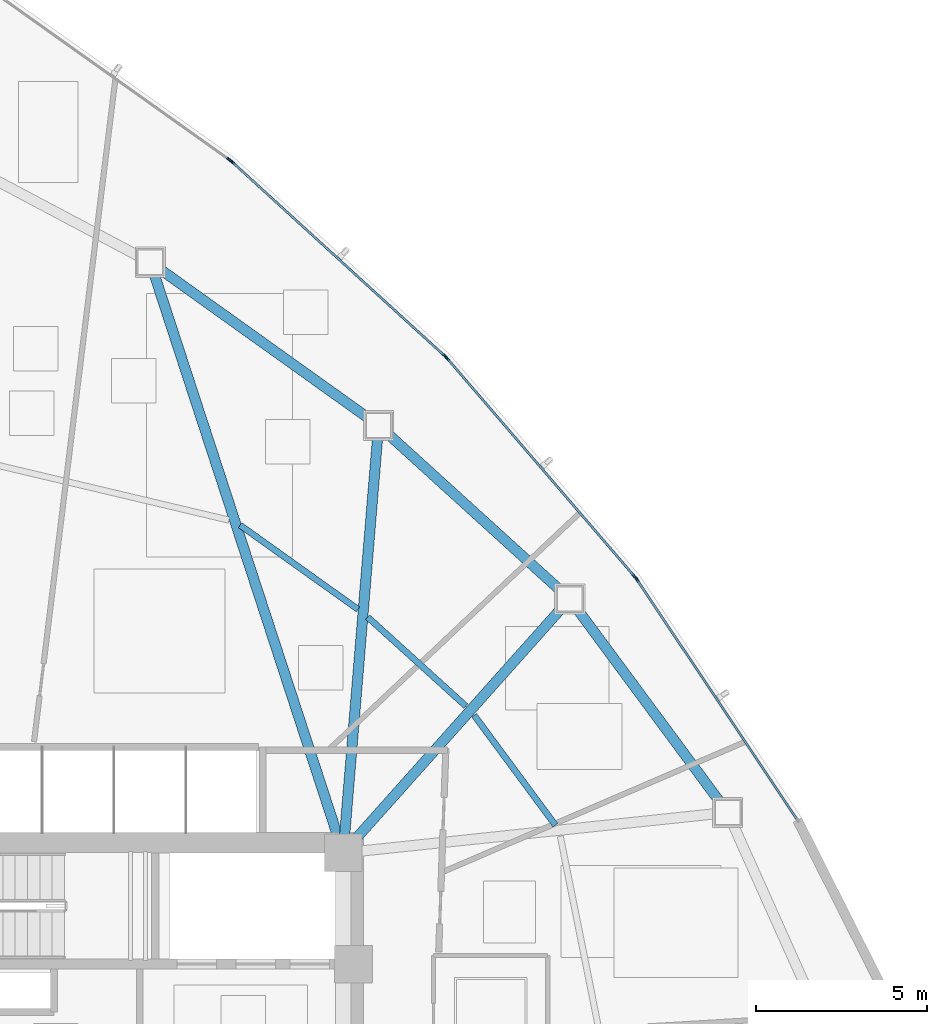
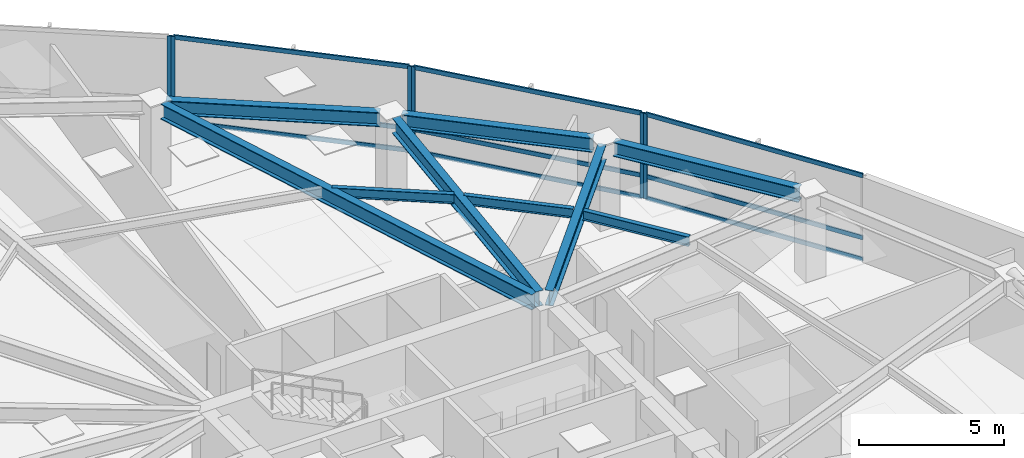
# One storey, part 10 of 18: 15 members, 9 beams, 4 elements without a shape of their own.
"""IFC4 building model written with IfcOpenShell, lengths in metres."""

import ifcopenshell
import ifcopenshell.guid

model = None  # the IFC model being written
_history = None  # IfcOwnerHistory: only IFC2X3 demands one
_inside = {}  # id of a spatial element -> (the spatial element, [elements in it])
_under = {}  # id of a project, library or spatial element -> (it, [spatial elements below it])
_declared = {}  # id of a project -> (the project, [libraries it declares])
_typed = {}  # id of a type object -> (the type object, [elements of that type])
_made_of = {}  # id of a material, layer set ... -> (it, [elements and type objects made of it])


def new_model(schema):
    """Start an empty IFC model of exactly this schema.

    Asked for "IFC4X3", IfcOpenShell would pick the latest addendum, in which some entities
    have other attributes; the version numbers below select the first issue.
    IFC2X3 requires an IfcOwnerHistory on every rooted entity: one is made here for all.
    """
    global model, _history
    if schema == "IFC4X3":
        model = ifcopenshell.file(schema_version=(4, 3, 0, 0))
    else:
        model = ifcopenshell.file(schema=schema)
    _inside.clear()
    _under.clear()
    _declared.clear()
    _typed.clear()
    _made_of.clear()
    _history = None
    if model.schema == "IFC2X3":
        org = make("IfcOrganization", Name="unknown")
        user = make(
            "IfcPersonAndOrganization",
            ThePerson=make("IfcPerson", FamilyName="unknown"),
            TheOrganization=org,
        )
        app = make(
            "IfcApplication",
            ApplicationDeveloper=org,
            Version="unknown",
            ApplicationFullName="unknown",
            ApplicationIdentifier="unknown",
        )
        _history = make(
            "IfcOwnerHistory",
            OwningUser=user,
            OwningApplication=app,
            ChangeAction="ADDED",
            CreationDate=0,
        )
    return model


def make(cls, **values):
    """One entity of the class cls with the attributes given. An attribute that is None is left unset."""
    return model.create_entity(
        cls, **{name: value for name, value in values.items() if value is not None}
    )


def rooted(cls, **values):
    """An entity with a GlobalId (a new one), such as an element, a storey or a relation."""
    return make(cls, GlobalId=ifcopenshell.guid.new(), OwnerHistory=_history, **values)


def si_unit(unit_type, name, prefix=None):
    """IfcSIUnit, for example si_unit("LENGTHUNIT", "METRE", prefix="MILLI")."""
    return make("IfcSIUnit", UnitType=unit_type, Prefix=prefix, Name=name)


def assignment(units):
    """IfcUnitAssignment: the units of a project."""
    return None if units is None else make("IfcUnitAssignment", Units=units)


def point(xyz):
    """IfcCartesianPoint."""
    return None if xyz is None else make("IfcCartesianPoint", Coordinates=xyz)


def direction(xyz):
    """IfcDirection."""
    return None if xyz is None else make("IfcDirection", DirectionRatios=xyz)


def frame(location, z_axis=None, x_axis=None):
    """IfcAxis2Placement3D, a coordinate frame: its origin and axes. An axis left out is left unset."""
    return make(
        "IfcAxis2Placement3D",
        Location=point(location),
        Axis=direction(z_axis),
        RefDirection=direction(x_axis),
    )


def frame_2d(location, x_axis=None):
    """IfcAxis2Placement2D, a coordinate frame in the plane: its origin and x axis."""
    return make(
        "IfcAxis2Placement2D", Location=point(location), RefDirection=direction(x_axis)
    )


def origin():
    """The frame at (0, 0, 0) with its axes left unset."""
    return frame((0.0, 0.0, 0.0))


def origin_2d():
    """The frame at (0, 0) in the plane with its x axis left unset."""
    return frame_2d((0.0, 0.0))


def place(relative_to, where):
    """IfcLocalPlacement: puts the frame where relative to a parent placement (None: the world)."""
    return make(
        "IfcLocalPlacement", PlacementRelTo=relative_to, RelativePlacement=where
    )


def context(
    kind, dimensions, precision=None, world=None, true_north=None, identifier=None
):
    """IfcGeometricRepresentationContext, for example the 3D "Model" context."""
    return make(
        "IfcGeometricRepresentationContext",
        ContextIdentifier=identifier,
        ContextType=kind,
        CoordinateSpaceDimension=dimensions,
        Precision=precision,
        WorldCoordinateSystem=world,
        TrueNorth=true_north,
    )


def subcontext(parent, identifier, kind, view, scale=None):
    """IfcGeometricRepresentationSubContext, for example "Body" below "Model"."""
    return make(
        "IfcGeometricRepresentationSubContext",
        ContextIdentifier=identifier,
        ContextType=kind,
        ParentContext=parent,
        TargetScale=scale,
        TargetView=view,
    )


def project(units=None, contexts=None):
    """IfcProject with its units and contexts."""
    return rooted(
        "IfcProject",
        Name="project",
        RepresentationContexts=contexts,
        UnitsInContext=assignment(units),
    )


def spatial(cls, under=None, at=None, **own):
    """A site, building, storey or space (cls), placed at a placement, below another one or the project."""
    s = rooted(cls, ObjectPlacement=at, **own)
    if under is not None:
        _under.setdefault(under.id(), (under, []))[1].append(s)
    return s


def profile(cls, at=None, kind="AREA", **sizes):
    """A parametric profile (cls). Its sizes go by their IFC names, for example OverallWidth=200.0."""
    return make(cls, ProfileType=kind, Position=at, **sizes)


def hollow_rectangle(**sizes):
    """IfcRectangleHollowProfileDef."""
    return profile("IfcRectangleHollowProfileDef", **sizes)


def i_section(**sizes):
    """IfcIShapeProfileDef."""
    return profile("IfcIShapeProfileDef", **sizes)


def extrude(swept, where, along, depth):
    """IfcExtrudedAreaSolid: the profile swept, set in the frame where, extruded along a direction by depth."""
    return make(
        "IfcExtrudedAreaSolid",
        SweptArea=swept,
        Position=where,
        ExtrudedDirection=direction(along),
        Depth=depth,
    )


def shape(context_of_items, identifier, shape_type, items):
    """IfcShapeRepresentation: the items that make up one representation, for example the "Body"."""
    return make(
        "IfcShapeRepresentation",
        ContextOfItems=context_of_items,
        RepresentationIdentifier=identifier,
        RepresentationType=shape_type,
        Items=items,
    )


def source(mapping_origin, context_of_items, identifier, shape_type, items):
    """IfcRepresentationMap: a shape defined once, which mapped items show again and again."""
    return make(
        "IfcRepresentationMap",
        MappingOrigin=mapping_origin,
        MappedRepresentation=shape(context_of_items, identifier, shape_type, items),
    )


def transform(
    local_origin,
    x_axis=None,
    y_axis=None,
    z_axis=None,
    scale=None,
    scale2=None,
    scale3=None,
    uniform=True,
):
    """IfcCartesianTransformationOperator3D, or its non-uniform kind. x_axis, y_axis, z_axis: its Axis1, 2, 3."""
    if uniform:
        return make(
            "IfcCartesianTransformationOperator3D",
            Axis1=direction(x_axis),
            Axis2=direction(y_axis),
            LocalOrigin=point(local_origin),
            Scale=scale,
            Axis3=direction(z_axis),
        )
    return make(
        "IfcCartesianTransformationOperator3DnonUniform",
        Axis1=direction(x_axis),
        Axis2=direction(y_axis),
        LocalOrigin=point(local_origin),
        Scale=scale,
        Axis3=direction(z_axis),
        Scale2=scale2,
        Scale3=scale3,
    )


def mapped(mapping_source, mapping_target):
    """IfcMappedItem: shows the shape of a source again, moved by a transform."""
    return make(
        "IfcMappedItem", MappingSource=mapping_source, MappingTarget=mapping_target
    )


def material(Name=None, Category=None):
    """IfcMaterial."""
    return make("IfcMaterial", Name=Name, Category=Category)


def layer(
    of_material, thickness, ventilated=None, Name=None, Category=None, Priority=None
):
    """IfcMaterialLayer: one layer of a wall or slab, of a material (None: an air gap)."""
    return make(
        "IfcMaterialLayer",
        Material=of_material,
        LayerThickness=thickness,
        IsVentilated=ventilated,
        Name=Name,
        Category=Category,
        Priority=Priority,
    )


def layer_set(layers, Name=None):
    """IfcMaterialLayerSet."""
    return make("IfcMaterialLayerSet", MaterialLayers=layers, LayerSetName=Name)


def material_profile(
    of_material, cross_section, Name=None, Category=None, Priority=None
):
    """IfcMaterialProfile: a cross section and its material."""
    return make(
        "IfcMaterialProfile",
        Name=Name,
        Material=of_material,
        Profile=cross_section,
        Priority=Priority,
        Category=Category,
    )


def profile_set(profiles, Name=None, composite=None):
    """IfcMaterialProfileSet."""
    return make(
        "IfcMaterialProfileSet",
        Name=Name,
        MaterialProfiles=profiles,
        CompositeProfile=composite,
    )


def made_of(thing, what):
    """Note that an element or type object is made of a material, layer set ...; save() writes the relation."""
    if what is not None:
        _made_of.setdefault(what.id(), (what, []))[1].append(thing)
    return thing


def type_object(cls, material=None, **own):
    """A type object (cls), such as IfcWallType, which elements share."""
    return made_of(rooted(cls, **own), material)


def type_shapes(of_type, sources):
    """Give a type object the sources (RepresentationMaps) that its elements show as mapped items."""
    of_type.RepresentationMaps = sources


def element(
    cls,
    number,
    at=None,
    inside=None,
    cuts=None,
    type_object=None,
    material=None,
    context=None,
    identifier="Body",
    shape_type=None,
    held_by="IfcProductDefinitionShape",
    body=None,
    shapes=None,
    **own,
):
    """One element of the class cls, such as IfcWall. Its Tag is "e" and its number.

    at: its placement. inside: the storey or other place that contains it. cuts: it is an
    opening in that element (IfcRelVoidsElement). A single representation is given by context,
    identifier, shape_type and body (its items); several are given by shapes. held_by: the class
    of the entity that holds the representations. save() writes the other relations.
    """
    e = rooted(cls, Tag="e%d" % number, ObjectPlacement=at, **own)
    if body is not None:
        shapes = [shape(context, identifier, shape_type, body)]
    if shapes is not None:
        e.Representation = make(held_by, Representations=shapes)
    if inside is not None:
        _inside.setdefault(inside.id(), (inside, []))[1].append(e)
    if cuts is not None:
        rooted(
            "IfcRelVoidsElement", RelatingBuildingElement=cuts, RelatedOpeningElement=e
        )
    if type_object is not None:
        _typed.setdefault(type_object.id(), (type_object, []))[1].append(e)
    return made_of(e, material)


def aggregate(whole, parts):
    """IfcRelAggregates: a whole, such as a stair, and the parts it consists of."""
    return rooted("IfcRelAggregates", RelatingObject=whole, RelatedObjects=parts)


def save(model, path):
    """Write the relations noted so far, then the file.

    IfcRelAggregates (storeys below a building ...), IfcRelContainedInSpatialStructure (elements
    in a storey), IfcRelDefinesByType, IfcRelAssociatesMaterial and IfcRelDeclares: one each for
    every whole, place, type object, material and project.
    """
    for whole, parts in _under.values():
        aggregate(whole, parts)
    for where, things in _inside.values():
        rooted(
            "IfcRelContainedInSpatialStructure",
            RelatedElements=things,
            RelatingStructure=where,
        )
    for kind, things in _typed.values():
        rooted("IfcRelDefinesByType", RelatedObjects=things, RelatingType=kind)
    for what, things in _made_of.values():
        rooted("IfcRelAssociatesMaterial", RelatedObjects=things, RelatingMaterial=what)
    for by, libraries in _declared.values():
        rooted("IfcRelDeclares", RelatingContext=by, RelatedDefinitions=libraries)
    model.write(path)


model = new_model("IFC4")

# Units and contexts
model_context = context("Model", 3, precision=1e-05, world=origin(), true_north=direction((0.0, 1.0)))
body_context = subcontext(model_context, "Body", "Model", "MODEL_VIEW")
ifc_project = project(units=[si_unit("LENGTHUNIT", "METRE"), si_unit("AREAUNIT", "SQUARE_METRE"), si_unit("VOLUMEUNIT", "CUBIC_METRE"), si_unit("PLANEANGLEUNIT", "RADIAN"), si_unit("MASSUNIT", "GRAM", prefix="KILO")], contexts=[model_context])

# Site, building, storey
site_placement = place(None, origin())
site = spatial("IfcSite", under=ifc_project, at=site_placement, CompositionType="ELEMENT")
building_placement = place(site_placement, origin())
building = spatial("IfcBuilding", under=site, at=building_placement, Name="Tavelor Broadcast Tower", CompositionType="ELEMENT")
storey_placement = place(building_placement, frame((0.0, 0.0, 54.89990234375)))
storey = spatial("IfcBuildingStorey", under=building, at=storey_placement, Name="L12", CompositionType="ELEMENT", Elevation=54.89990234375)

# Beams
ifc_material_1 = material(Name="Steel S355", Category="steel")
ifc_material_profile_1 = material_profile(ifc_material_1, i_section(OverallWidth=0.179931640625, OverallDepth=0.39990234375, WebThickness=0.008544921875, FlangeThickness=0.013427734375, at=origin_2d()), Name="IPE 400")
ifc_profile_set_1 = profile_set([ifc_material_profile_1], Name="Steel S355")
beam_type_1 = type_object("IfcBeamType", Name="Composite Floor Joist T1 IPE 400", PredefinedType="JOIST", material=ifc_profile_set_1)
beam_1_placement = place(storey_placement, frame((62.804443359375, 52.009521484375, 3.400146484375), z_axis=(-0.594288025828, 0.804252287754, 0.0), x_axis=(-0.804252287754, -0.594288025828, 0.0)))
element("IfcBeam", 1, at=beam_1_placement, inside=storey, type_object=beam_type_1, Name="L12 Secondary Composite Floor Joist 15", PredefinedType="JOIST", context=body_context, shape_type="SweptSolid", body=[
    extrude(i_section(OverallWidth=0.179931640625, OverallDepth=0.39990234375, WebThickness=0.008544921875, FlangeThickness=0.013427734375, at=origin_2d()), origin(), (0.0, 0.0, 1.0), 3.99755859375),
])
beam_2_placement = place(storey_placement, frame((60.18701171875, 55.49169921875, 3.400146484375), z_axis=(-0.740990869176, 0.67151510169, 0.0), x_axis=(-0.67151510169, -0.740990869176, 0.0)))
element("IfcBeam", 2, at=beam_2_placement, inside=storey, type_object=beam_type_1, Name="L12 Secondary Composite Floor Joist 16", PredefinedType="JOIST", context=body_context, shape_type="SweptSolid", body=[
    extrude(i_section(OverallWidth=0.179931640625, OverallDepth=0.39990234375, WebThickness=0.008544921875, FlangeThickness=0.013427734375, at=origin_2d()), origin(), (0.0, 0.0, 1.0), 3.8759765625),
])
beam_3_placement = place(storey_placement, frame((57.03369140625, 58.321044921875, 3.400146484375), z_axis=(-0.814052615916, 0.580791131579, 0.0), x_axis=(-0.580791131579, -0.814052615916, 0.0)))
element("IfcBeam", 3, at=beam_3_placement, inside=storey, type_object=beam_type_1, Name="L12 Secondary Composite Floor Joist 17", PredefinedType="JOIST", context=body_context, shape_type="SweptSolid", body=[
    extrude(i_section(OverallWidth=0.179931640625, OverallDepth=0.39990234375, WebThickness=0.008544921875, FlangeThickness=0.013427734375, at=origin_2d()), origin(), (0.0, 0.0, 1.0), 4.23681640625),
])
ifc_material_profile_2 = material_profile(ifc_material_1, i_section(OverallWidth=0.300048828125, OverallDepth=0.60009765625, WebThickness=0.015380859375, FlangeThickness=0.030029296875, at=origin_2d()), Name="HEB 600")
ifc_profile_set_2 = profile_set([ifc_material_profile_2], Name="Steel S355")
beam_type_2 = type_object("IfcBeamType", Name="Perimeter Spandrel Beam T1 HEB 600", PredefinedType="SPANDREL", material=ifc_profile_set_2)
beam_4_placement = place(storey_placement, frame((67.6123046875, 52.69140625, 3.300048828125), z_axis=(-0.594687385164, 0.803957034876, 0.0), x_axis=(-0.803957034876, -0.594687385164, 0.0)))
element("IfcBeam", 4, at=beam_4_placement, inside=storey, type_object=beam_type_2, Name="L12 Framed-Tube Ring Spandrel 15", PredefinedType="SPANDREL", context=body_context, shape_type="SweptSolid", body=[
    extrude(i_section(OverallWidth=0.300048828125, OverallDepth=0.60009765625, WebThickness=0.015380859375, FlangeThickness=0.030029296875, at=origin_2d()), origin(), (0.0, 0.0, 1.0), 6.9951171875),
])
beam_5_placement = place(storey_placement, frame((62.939697265625, 58.882080078125, 3.300048828125), z_axis=(-0.740415616175, 0.672149325168, 0.0), x_axis=(-0.672149325168, -0.740415616175, 0.0)))
element("IfcBeam", 5, at=beam_5_placement, inside=storey, type_object=beam_type_2, Name="L12 Framed-Tube Ring Spandrel 16", PredefinedType="SPANDREL", context=body_context, shape_type="SweptSolid", body=[
    extrude(i_section(OverallWidth=0.300048828125, OverallDepth=0.60009765625, WebThickness=0.015380859375, FlangeThickness=0.030029296875, at=origin_2d()), origin(), (0.0, 0.0, 1.0), 6.78076171875),
])
beam_6_placement = place(storey_placement, frame((57.322509765625, 63.921142578125, 3.300048828125), z_axis=(-0.813480467782, 0.581592235624, 0.0), x_axis=(-0.581592235624, -0.813480467782, 0.0)))
element("IfcBeam", 6, at=beam_6_placement, inside=storey, type_object=beam_type_2, Name="L12 Framed-Tube Ring Spandrel 17", PredefinedType="SPANDREL", context=body_context, shape_type="SweptSolid", body=[
    extrude(i_section(OverallWidth=0.300048828125, OverallDepth=0.60009765625, WebThickness=0.015380859375, FlangeThickness=0.030029296875, at=origin_2d()), origin(), (0.0, 0.0, 1.0), 7.43505859375),
])
ifc_material_profile_3 = material_profile(ifc_material_1, i_section(OverallWidth=0.300048828125, OverallDepth=0.64990234375, WebThickness=0.01611328125, FlangeThickness=0.031005859375, at=origin_2d()), Name="HEB 650")
ifc_profile_set_3 = profile_set([ifc_material_profile_3], Name="Steel S355")
beam_type_3 = type_object("IfcBeamType", Name="Radial Floor Girder T1 HEB 650", PredefinedType="BEAM", material=ifc_profile_set_3)
beam_7_placement = place(storey_placement, frame((56.951416015625, 51.593994140625, 3.275146484375), z_axis=(0.665781144197, 0.746147082036, 0.0), x_axis=(-0.746147082036, 0.665781144197, 0.0)))
element("IfcBeam", 7, at=beam_7_placement, inside=storey, type_object=beam_type_3, Name="L12 Radial Primary Floor Girder 16", PredefinedType="BEAM", context=body_context, shape_type="SweptSolid", body=[
    extrude(i_section(OverallWidth=0.300048828125, OverallDepth=0.64990234375, WebThickness=0.01611328125, FlangeThickness=0.031005859375, at=origin_2d()), origin(), (0.0, 0.0, 1.0), 9.03759765625),
])
beam_8_placement = place(storey_placement, frame((56.6435546875, 51.726318359375, 3.275146484375), z_axis=(0.08251031281, 0.996590210809, 0.0), x_axis=(-0.996590210809, 0.08251031281, 0.0)))
element("IfcBeam", 8, at=beam_8_placement, inside=storey, type_object=beam_type_3, Name="L12 Radial Primary Floor Girder 17", PredefinedType="BEAM", context=body_context, shape_type="SweptSolid", body=[
    extrude(i_section(OverallWidth=0.300048828125, OverallDepth=0.64990234375, WebThickness=0.01611328125, FlangeThickness=0.031005859375, at=origin_2d()), origin(), (0.0, 0.0, 1.0), 11.62841796875),
])
beam_9_placement = place(storey_placement, frame((56.43603515625, 51.701904296875, 3.275146484375), z_axis=(-0.310367857535, 0.950616533103, 0.0), x_axis=(-0.950616533103, -0.310367857535, 0.0)))
element("IfcBeam", 9, at=beam_9_placement, inside=storey, type_object=beam_type_3, Name="L12 Radial Primary Floor Girder 18", PredefinedType="BEAM", context=body_context, shape_type="SweptSolid", body=[
    extrude(i_section(OverallWidth=0.300048828125, OverallDepth=0.64990234375, WebThickness=0.01611328125, FlangeThickness=0.031005859375, at=origin_2d()), origin(), (0.0, 0.0, 1.0), 17.253662109375),
])

# Curtain wall, member
ifc_material_2 = material(Name="Architectural Anodized Aluminium", Category="aluminium")
ifc_layer = layer(ifc_material_2, 0.179931640625)
ifc_layer_set = layer_set([ifc_layer], Name="Architectural Anodized Aluminium")
curtain_wall_type = type_object("IfcCurtainWallType", Name="Tower Low-Zone Unitised Curtain Wall CW02", PredefinedType="NOTDEFINED", material=ifc_layer_set)
curtain_wall_1_placement = place(storey_placement, origin())
curtain_wall_1 = element("IfcCurtainWall", 10, at=curtain_wall_1_placement, inside=storey, type_object=curtain_wall_type, Name="L12 Curtain Wall CW02 Run 105", PredefinedType="NOTDEFINED")
ifc_material_profile_4 = material_profile(ifc_material_2, hollow_rectangle(XDim=0.06494140625, YDim=0.179931640625, WallThickness=0.02197265625, at=origin_2d()), Name="RHS 65x180x22")
ifc_profile_set_4 = profile_set([ifc_material_profile_4], Name="Architectural Anodized Aluminium")
member_type_1 = type_object("IfcMemberType", Name="CW02 Extruded Aluminium Mullion 65x180", PredefinedType="MULLION", material=ifc_profile_set_4)
shared_shape_1 = source(origin(), body_context, "Body", "SweptSolid", [
    extrude(hollow_rectangle(XDim=0.06494140625, YDim=0.179931640625, WallThickness=0.02197265625, at=origin_2d()), origin(), (0.0, 0.0, 1.0), 3.60009765625),
])
type_shapes(member_type_1, [shared_shape_1])
member_1_placement = place(storey_placement, frame((65.18310546875, 59.197509765625, 0.0), z_axis=(0.0, 0.0, 1.0), x_axis=(-0.831717169466, -0.555199558732, 0.0)))
member_1 = element("IfcMember", 11, at=member_1_placement, type_object=member_type_1, Name="CW02 mullion 2", PredefinedType="MULLION", context=body_context, shape_type="MappedRepresentation", body=[
    mapped(shared_shape_1, transform((0.0, 0.0, 0.0), scale=1.0)),
])

# Curtain wall, members
curtain_wall_2_placement = place(storey_placement, origin())
curtain_wall_2 = element("IfcCurtainWall", 12, at=curtain_wall_2_placement, inside=storey, type_object=curtain_wall_type, Name="L12 Curtain Wall CW02 Run 106", PredefinedType="NOTDEFINED")
member_2_placement = place(storey_placement, frame((65.125732421875, 59.273193359375, 0.0), z_axis=(0.0, 0.0, 1.0), x_axis=(-0.758408379606, -0.651779663493, 0.0)))
member_2 = element("IfcMember", 13, at=member_2_placement, type_object=member_type_1, Name="CW02 mullion 1", PredefinedType="MULLION", context=body_context, shape_type="MappedRepresentation", body=[
    mapped(shared_shape_1, transform((0.0, 0.0, 0.0), scale=1.0)),
])
member_3_placement = place(storey_placement, frame((59.63671875, 65.66015625, 0.0), z_axis=(0.0, 0.0, 1.0), x_axis=(-0.758408379606, -0.651779663493, 0.0)))
member_3 = element("IfcMember", 14, at=member_3_placement, type_object=member_type_1, Name="CW02 mullion 2", PredefinedType="MULLION", context=body_context, shape_type="MappedRepresentation", body=[
    mapped(shared_shape_1, transform((0.0, 0.0, 0.0), scale=1.0)),
])

curtain_wall_3_placement = place(storey_placement, origin())
curtain_wall_3 = element("IfcCurtainWall", 15, at=curtain_wall_3_placement, inside=storey, type_object=curtain_wall_type, Name="L12 Curtain Wall CW02 Run 107", PredefinedType="NOTDEFINED")
member_4_placement = place(storey_placement, frame((59.57080078125, 65.72802734375, 0.0), z_axis=(0.0, 0.0, 1.0), x_axis=(-0.673965033885, -0.738763245635, 0.0)))
member_4 = element("IfcMember", 16, at=member_4_placement, type_object=member_type_1, Name="CW02 mullion 1", PredefinedType="MULLION", context=body_context, shape_type="MappedRepresentation", body=[
    mapped(shared_shape_1, transform((0.0, 0.0, 0.0), scale=1.0)),
])
member_5_placement = place(storey_placement, frame((53.349365234375, 71.40380859375, 0.0), z_axis=(0.0, 0.0, 1.0), x_axis=(-0.673965033885, -0.738763245635, 0.0)))
member_5 = element("IfcMember", 17, at=member_5_placement, type_object=member_type_1, Name="CW02 mullion 2", PredefinedType="MULLION", context=body_context, shape_type="MappedRepresentation", body=[
    mapped(shared_shape_1, transform((0.0, 0.0, 0.0), scale=1.0)),
])

# Curtain wall, member
curtain_wall_4_placement = place(storey_placement, origin())
curtain_wall_4 = element("IfcCurtainWall", 18, at=curtain_wall_4_placement, inside=storey, type_object=curtain_wall_type, Name="L12 Curtain Wall CW02 Run 108", PredefinedType="NOTDEFINED")
member_6_placement = place(storey_placement, frame((53.275634765625, 71.46337890625, 0.0), z_axis=(0.0, 0.0, 1.0), x_axis=(-0.579622725529, -0.814884958783, 0.0)))
member_6 = element("IfcMember", 19, at=member_6_placement, type_object=member_type_1, Name="CW02 mullion 1", PredefinedType="MULLION", context=body_context, shape_type="MappedRepresentation", body=[
    mapped(shared_shape_1, transform((0.0, 0.0, 0.0), scale=1.0)),
])
aggregate(curtain_wall_4, [member_6])

# Member
ifc_material_profile_5 = material_profile(ifc_material_2, hollow_rectangle(XDim=0.06494140625, YDim=0.179931640625, WallThickness=0.02197265625, at=origin_2d()), Name="RHS 65x180x22")
ifc_profile_set_5 = profile_set([ifc_material_profile_5], Name="Architectural Anodized Aluminium")
member_type_2 = type_object("IfcMemberType", Name="CW02 Extruded Aluminium Transom 65x180", PredefinedType="USERDEFINED", material=ifc_profile_set_5)
shared_shape_2 = source(origin(), body_context, "Body", "SweptSolid", [
    extrude(hollow_rectangle(XDim=0.06494140625, YDim=0.179931640625, WallThickness=0.02197265625, at=origin_2d()), origin(), (0.0, 0.0, 1.0), 8.3564453125),
])
member_7_placement = place(storey_placement, frame((65.1044921875, 59.2978515625, 0.03271484375), z_axis=(-0.651774883134, 0.758412487843, 0.0), x_axis=(-0.758412487843, -0.651774883134, 0.0)))
member_7 = element("IfcMember", 20, at=member_7_placement, type_object=member_type_2, Name="CW02 transom 1.1", ObjectType="TRANSOM", PredefinedType="USERDEFINED", context=body_context, shape_type="MappedRepresentation", body=[
    mapped(shared_shape_2, transform((0.0, 0.0, 0.0), scale=1.0)),
])

member_8_placement = place(storey_placement, frame((65.1044921875, 59.2978515625, 0.9501953125), z_axis=(-0.651774883134, 0.758412487843, 0.0), x_axis=(-0.758412487843, -0.651774883134, 0.0)))
member_8 = element("IfcMember", 21, at=member_8_placement, type_object=member_type_2, Name="CW02 transom 1.2", ObjectType="TRANSOM", PredefinedType="USERDEFINED", context=body_context, shape_type="MappedRepresentation", body=[
    mapped(shared_shape_2, transform((0.0, 0.0, 0.0), scale=1.0)),
])

member_9_placement = place(storey_placement, frame((65.1044921875, 59.2978515625, 3.567626953125), z_axis=(-0.651774883134, 0.758412487843, 0.0), x_axis=(-0.758412487843, -0.651774883134, 0.0)))
member_9 = element("IfcMember", 22, at=member_9_placement, type_object=member_type_2, Name="CW02 transom 1.3", ObjectType="TRANSOM", PredefinedType="USERDEFINED", context=body_context, shape_type="MappedRepresentation", body=[
    mapped(shared_shape_2, transform((0.0, 0.0, 0.0), scale=1.0)),
])

aggregate(curtain_wall_2, [member_2, member_3, member_7, member_8, member_9])

shared_shape_3 = source(origin(), body_context, "Body", "SweptSolid", [
    extrude(hollow_rectangle(XDim=0.06494140625, YDim=0.179931640625, WallThickness=0.02197265625, at=origin_2d()), origin(), (0.0, 0.0, 1.0), 8.37158203125),
])
member_10_placement = place(storey_placement, frame((69.848876953125, 52.207763671875, 0.03271484375), z_axis=(-0.555177930931, 0.831731606353, 0.0), x_axis=(-0.831731606353, -0.555177930931, 0.0)))
member_10 = element("IfcMember", 23, at=member_10_placement, type_object=member_type_2, Name="CW02 transom 1.1", ObjectType="TRANSOM", PredefinedType="USERDEFINED", context=body_context, shape_type="MappedRepresentation", body=[
    mapped(shared_shape_3, transform((0.0, 0.0, 0.0), scale=1.0)),
])

member_11_placement = place(storey_placement, frame((69.848876953125, 52.207763671875, 0.9501953125), z_axis=(-0.555177930931, 0.831731606353, 0.0), x_axis=(-0.831731606353, -0.555177930931, 0.0)))
member_11 = element("IfcMember", 24, at=member_11_placement, type_object=member_type_2, Name="CW02 transom 1.2", ObjectType="TRANSOM", PredefinedType="USERDEFINED", context=body_context, shape_type="MappedRepresentation", body=[
    mapped(shared_shape_3, transform((0.0, 0.0, 0.0), scale=1.0)),
])

member_12_placement = place(storey_placement, frame((69.848876953125, 52.207763671875, 3.567626953125), z_axis=(-0.555177930931, 0.831731606353, 0.0), x_axis=(-0.831731606353, -0.555177930931, 0.0)))
member_12 = element("IfcMember", 25, at=member_12_placement, type_object=member_type_2, Name="CW02 transom 1.3", ObjectType="TRANSOM", PredefinedType="USERDEFINED", context=body_context, shape_type="MappedRepresentation", body=[
    mapped(shared_shape_3, transform((0.0, 0.0, 0.0), scale=1.0)),
])

aggregate(curtain_wall_1, [member_1, member_10, member_11, member_12])

shared_shape_4 = source(origin(), body_context, "Body", "SweptSolid", [
    extrude(hollow_rectangle(XDim=0.06494140625, YDim=0.179931640625, WallThickness=0.02197265625, at=origin_2d()), origin(), (0.0, 0.0, 1.0), 8.356201171875),
])
type_shapes(member_type_2, [shared_shape_2, shared_shape_3, shared_shape_4])
member_13_placement = place(storey_placement, frame((59.546875, 65.75, 0.03271484375), z_axis=(-0.738765003953, 0.673963106509, 0.0), x_axis=(-0.673963106509, -0.738765003953, 0.0)))
member_13 = element("IfcMember", 26, at=member_13_placement, type_object=member_type_2, Name="CW02 transom 1.1", ObjectType="TRANSOM", PredefinedType="USERDEFINED", context=body_context, shape_type="MappedRepresentation", body=[
    mapped(shared_shape_4, transform((0.0, 0.0, 0.0), scale=1.0)),
])

member_14_placement = place(storey_placement, frame((59.546875, 65.75, 0.9501953125), z_axis=(-0.738765003953, 0.673963106509, 0.0), x_axis=(-0.673963106509, -0.738765003953, 0.0)))
member_14 = element("IfcMember", 27, at=member_14_placement, type_object=member_type_2, Name="CW02 transom 1.2", ObjectType="TRANSOM", PredefinedType="USERDEFINED", context=body_context, shape_type="MappedRepresentation", body=[
    mapped(shared_shape_4, transform((0.0, 0.0, 0.0), scale=1.0)),
])

member_15_placement = place(storey_placement, frame((59.546875, 65.75, 3.567626953125), z_axis=(-0.738765003953, 0.673963106509, 0.0), x_axis=(-0.673963106509, -0.738765003953, 0.0)))
member_15 = element("IfcMember", 28, at=member_15_placement, type_object=member_type_2, Name="CW02 transom 1.3", ObjectType="TRANSOM", PredefinedType="USERDEFINED", context=body_context, shape_type="MappedRepresentation", body=[
    mapped(shared_shape_4, transform((0.0, 0.0, 0.0), scale=1.0)),
])

aggregate(curtain_wall_3, [member_4, member_5, member_13, member_14, member_15])

save(model, "model.ifc")
